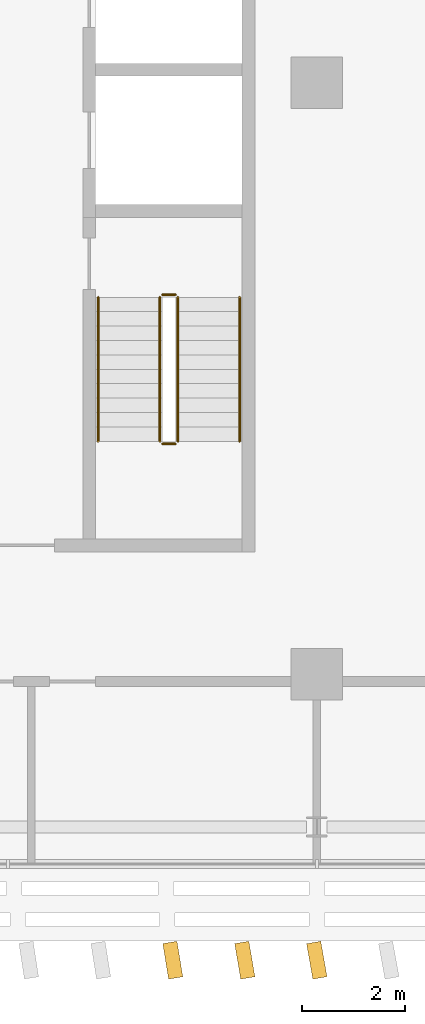
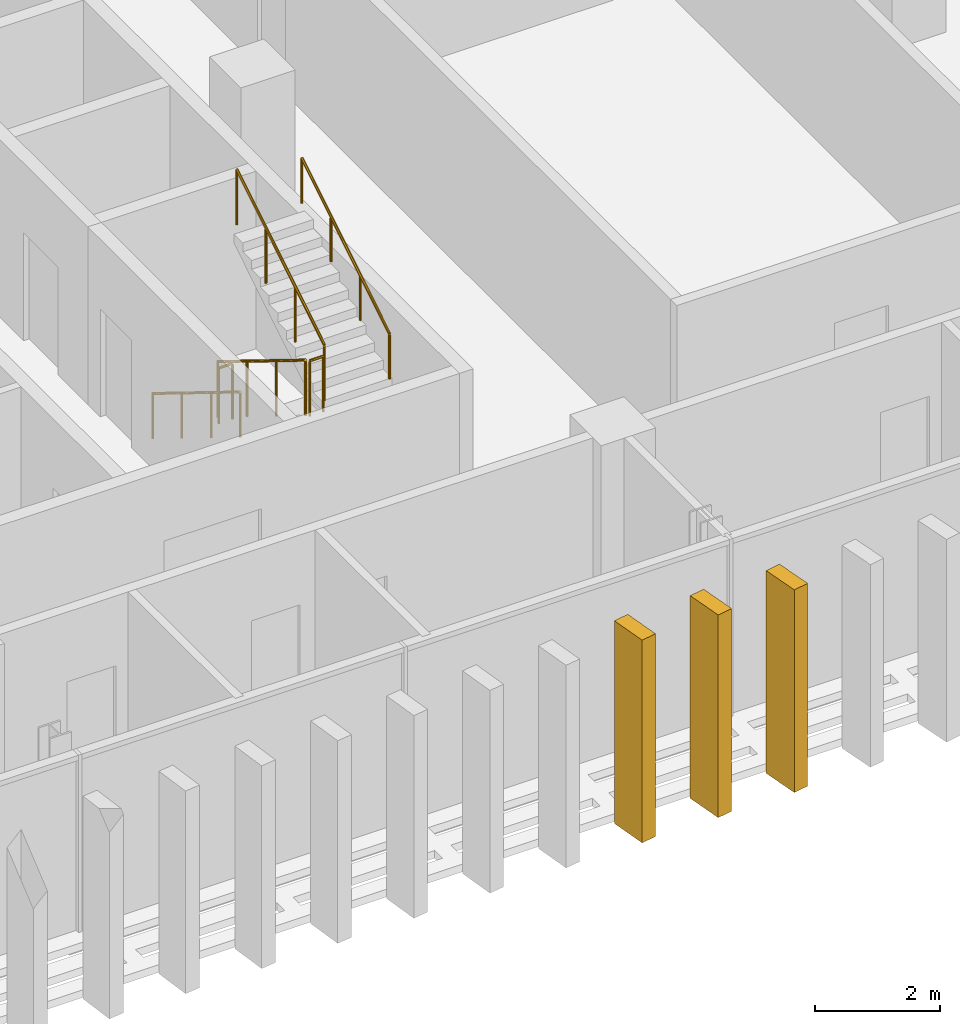
# One storey, part 29 of 34: 6 railings, 3 coverings.
"""IFC4 building model written with IfcOpenShell, lengths in metres."""

from ifc_helpers import new_model, si_unit, direction, frame, origin, origin_2d, place, context, subcontext, project, spatial, rectangle, circle, extrude, material, layer, layer_set, type_object, element, save


model = new_model("IFC4")

# Units and contexts
model_context = context("Model", 3, precision=1e-05, world=origin(), true_north=direction((0.0, 1.0)))
body_context = subcontext(model_context, "Body", "Model", "MODEL_VIEW")
ifc_project = project(units=[si_unit("LENGTHUNIT", "METRE"), si_unit("AREAUNIT", "SQUARE_METRE"), si_unit("VOLUMEUNIT", "CUBIC_METRE"), si_unit("PLANEANGLEUNIT", "RADIAN"), si_unit("MASSUNIT", "GRAM", prefix="KILO")], contexts=[model_context])

# Site, building, storey
site_placement = place(None, origin())
site = spatial("IfcSite", under=ifc_project, at=site_placement, CompositionType="ELEMENT")
building_placement = place(site_placement, origin())
building = spatial("IfcBuilding", under=site, at=building_placement, Name="Mahtab Terrace Research Tower", CompositionType="ELEMENT")
storey_placement = place(building_placement, frame((0.0, 0.0, 247.60009765625)))
storey = spatial("IfcBuildingStorey", under=building, at=storey_placement, Name="L60", CompositionType="ELEMENT", Elevation=247.60009765625)

# Railings
ifc_material_1 = material(Name="Stainless steel AISI 304", Category="steel")
railing_type_1 = type_object("IfcRailingType", Name="Stair guard 1100", PredefinedType="GUARDRAIL", material=ifc_material_1)
railing_1_placement = place(storey_placement, frame((2.949951171875, -4.175048828125, 0.172607421875)))
element("IfcRailing", 1, at=railing_1_placement, inside=storey, type_object=railing_type_1, Name="L60 ST2 stair guard 1", PredefinedType="GUARDRAIL", context=body_context, shape_type="SweptSolid", body=[
    extrude(circle(Radius=0.02392578125, at=origin_2d()), frame((0.0, 0.0, 1.076171875), z_axis=(0.0, -0.851089632645, 0.525020415988), x_axis=(1.0, 0.0, 0.0)), (0.0, 0.0, 1.0), 3.2900390625),
    extrude(circle(Radius=0.02099609375, at=origin_2d()), origin(), (0.0, 0.0, 1.0), 1.052001953125),
    extrude(circle(Radius=0.02099609375, at=origin_2d()), frame((0.0, -0.933349609375, 0.57568359375)), (0.0, 0.0, 1.0), 1.052001953125),
    extrude(circle(Radius=0.02099609375, at=origin_2d()), frame((0.0, -1.86669921875, 1.151611328125)), (0.0, 0.0, 1.0), 1.052001953125),
    extrude(circle(Radius=0.02099609375, at=origin_2d()), frame((0.0, -2.800048828125, 1.727294921875)), (0.0, 0.0, 1.0), 1.052001953125),
])
railing_2_placement = place(storey_placement, frame((3.0, -7.02490234375, 1.89990234375)))
element("IfcRailing", 2, at=railing_2_placement, inside=storey, type_object=railing_type_1, Name="L60 ST2 stair guard 2", PredefinedType="GUARDRAIL", context=body_context, shape_type="SweptSolid", body=[
    extrude(circle(Radius=0.02392578125, at=origin_2d()), frame((0.0, 0.0, 1.076171875), z_axis=(1.0, 0.0, 0.0), x_axis=(0.0, 1.0, 0.0)), (0.0, 0.0, 1.0), 0.25),
    extrude(circle(Radius=0.02099609375, at=origin_2d()), origin(), (0.0, 0.0, 1.0), 1.052001953125),
    extrude(circle(Radius=0.02099609375, at=origin_2d()), frame((0.25, 0.0, 0.0)), (0.0, 0.0, 1.0), 1.052001953125),
])
railing_3_placement = place(storey_placement, frame((3.300048828125, -6.97509765625, 2.072509765625)))
element("IfcRailing", 3, at=railing_3_placement, inside=storey, type_object=railing_type_1, Name="L60 ST2 stair guard 3", PredefinedType="GUARDRAIL", context=body_context, shape_type="SweptSolid", body=[
    extrude(circle(Radius=0.02392578125, at=origin_2d()), frame((0.0, 0.0, 1.076171875), z_axis=(0.0, 0.851089632645, 0.525020415988), x_axis=(-1.0, 0.0, 0.0)), (0.0, 0.0, 1.0), 3.2900390625),
    extrude(circle(Radius=0.02099609375, at=origin_2d()), origin(), (0.0, 0.0, 1.0), 1.052001953125),
    extrude(circle(Radius=0.02099609375, at=origin_2d()), frame((0.0, 0.933349609375, 0.57568359375)), (0.0, 0.0, 1.0), 1.052001953125),
    extrude(circle(Radius=0.02099609375, at=origin_2d()), frame((0.0, 1.86669921875, 1.151611328125)), (0.0, 0.0, 1.0), 1.052001953125),
    extrude(circle(Radius=0.02099609375, at=origin_2d()), frame((0.0, 2.800048828125, 1.727294921875)), (0.0, 0.0, 1.0), 1.052001953125),
])
railing_4_placement = place(storey_placement, frame((3.0, -4.125, 0.0)))
element("IfcRailing", 4, at=railing_4_placement, inside=storey, type_object=railing_type_1, Name="L60 ST2 stair guard 4", PredefinedType="GUARDRAIL", context=body_context, shape_type="SweptSolid", body=[
    extrude(circle(Radius=0.02392578125, at=origin_2d()), frame((0.0, 0.0, 1.076171875), z_axis=(1.0, 0.0, 0.0), x_axis=(0.0, 1.0, 0.0)), (0.0, 0.0, 1.0), 0.25),
    extrude(circle(Radius=0.02099609375, at=origin_2d()), origin(), (0.0, 0.0, 1.0), 1.052001953125),
    extrude(circle(Radius=0.02099609375, at=origin_2d()), frame((0.25, 0.0, 0.0)), (0.0, 0.0, 1.0), 1.052001953125),
])
railing_type_2 = type_object("IfcRailingType", Name="Stair handrail 900", PredefinedType="HANDRAIL", material=ifc_material_1)
railing_5_placement = place(storey_placement, frame((1.75, -4.175048828125, 0.172607421875)))
element("IfcRailing", 5, at=railing_5_placement, inside=storey, type_object=railing_type_2, Name="L60 ST2 stair handrail 1", PredefinedType="HANDRAIL", context=body_context, shape_type="SweptSolid", body=[
    extrude(circle(Radius=0.02392578125, at=origin_2d()), frame((0.0, 0.0, 0.8759765625), z_axis=(0.0, -0.851089632645, 0.525020415988), x_axis=(1.0, 0.0, 0.0)), (0.0, 0.0, 1.0), 3.2900390625),
    extrude(circle(Radius=0.02099609375, at=origin_2d()), origin(), (0.0, 0.0, 1.0), 0.851806640625),
    extrude(circle(Radius=0.02099609375, at=origin_2d()), frame((0.0, -0.933349609375, 0.57568359375)), (0.0, 0.0, 1.0), 0.851806640625),
    extrude(circle(Radius=0.02099609375, at=origin_2d()), frame((0.0, -1.86669921875, 1.151611328125)), (0.0, 0.0, 1.0), 0.851806640625),
    extrude(circle(Radius=0.02099609375, at=origin_2d()), frame((0.0, -2.800048828125, 1.727294921875)), (0.0, 0.0, 1.0), 0.851806640625),
])
railing_6_placement = place(storey_placement, frame((4.5, -6.97509765625, 2.072509765625)))
element("IfcRailing", 6, at=railing_6_placement, inside=storey, type_object=railing_type_2, Name="L60 ST2 stair handrail 2", PredefinedType="HANDRAIL", context=body_context, shape_type="SweptSolid", body=[
    extrude(circle(Radius=0.02392578125, at=origin_2d()), frame((0.0, 0.0, 0.8759765625), z_axis=(0.0, 0.851089632645, 0.525020415988), x_axis=(-1.0, 0.0, 0.0)), (0.0, 0.0, 1.0), 3.2900390625),
    extrude(circle(Radius=0.02099609375, at=origin_2d()), origin(), (0.0, 0.0, 1.0), 0.851806640625),
    extrude(circle(Radius=0.02099609375, at=origin_2d()), frame((0.0, 0.933349609375, 0.57568359375)), (0.0, 0.0, 1.0), 0.851806640625),
    extrude(circle(Radius=0.02099609375, at=origin_2d()), frame((0.0, 1.86669921875, 1.151611328125)), (0.0, 0.0, 1.0), 0.851806640625),
    extrude(circle(Radius=0.02099609375, at=origin_2d()), frame((0.0, 2.800048828125, 1.727294921875)), (0.0, 0.0, 1.0), 0.851806640625),
])

# Coverings
ifc_material_2 = material(Name="Bronze anodised aluminium", Category="aluminium")
ifc_layer = layer(ifc_material_2, 0.1201171875)
ifc_layer_set = layer_set([ifc_layer], Name="Vertical fin 700")
covering_type = type_object("IfcCoveringType", Name="Vertical fin 700", PredefinedType="CLADDING", material=ifc_layer_set)
for number, where, z_axis, x_axis, name in (
    (7, (3.199951171875, -17.06298828125, -0.14990234375), (0.0, 0.0, 1.0), (0.986761532114, 0.1621779231, 0.0), "Fin L60 S28"),
    (8, (4.60009765625, -17.0634765625, -0.14990234375), (0.0, 0.0, 1.0), (0.985801325417, 0.167915892057, 0.0), "Fin L60 S29"),
    (9, (6.0, -17.06396484375, -0.14990234375), (0.0, 0.0, 1.0), (0.984807753012, 0.173648177667, 0.0), "Fin L60 S30"),
):
    element("IfcCovering", number, at=place(storey_placement, frame(where, z_axis=z_axis, x_axis=x_axis)), inside=storey, type_object=covering_type, Name=name, PredefinedType="CLADDING", context=body_context, shape_type="SweptSolid", body=[
        extrude(rectangle(XDim=0.280029296875, YDim=0.699951171875, at=origin_2d()), origin(), (0.0, 0.0, 1.0), 3.949951171875),
    ])

save(model, "model.ifc")
